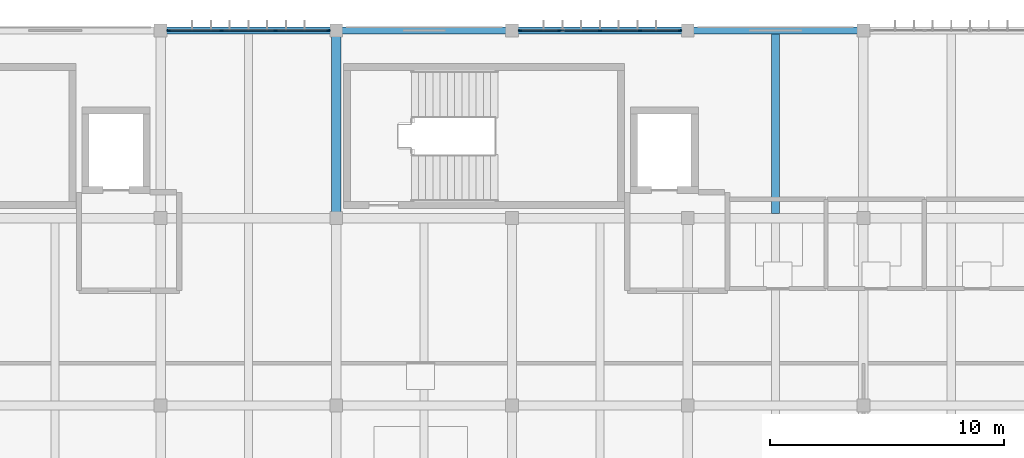
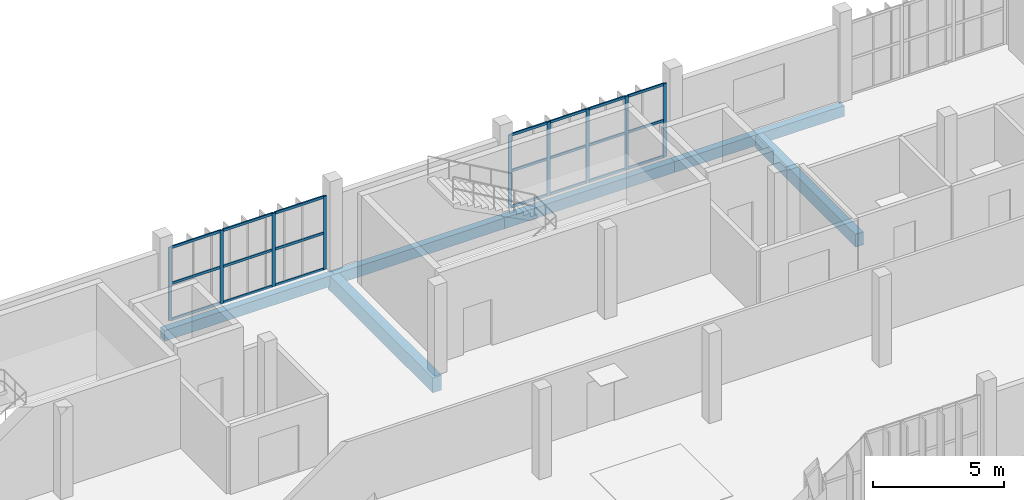
# One storey, part 13 of 61: 30 members, 6 beams, 2 elements without a shape of their own.
"""IFC4 building model written with IfcOpenShell, lengths in metres."""

from ifc_helpers import new_model, si_unit, direction, frame, origin, origin_2d, place, context, subcontext, project, spatial, rectangle, extrude, material, material_profile, profile_set, type_object, element, aggregate, save


model = new_model("IFC4")

# Units and contexts
model_context = context("Model", 3, precision=1e-05, world=origin(), true_north=direction((0.0, 1.0)))
body_context = subcontext(model_context, "Body", "Model", "MODEL_VIEW")
ifc_project = project(units=[si_unit("LENGTHUNIT", "METRE"), si_unit("AREAUNIT", "SQUARE_METRE"), si_unit("VOLUMEUNIT", "CUBIC_METRE"), si_unit("PLANEANGLEUNIT", "RADIAN"), si_unit("MASSUNIT", "GRAM", prefix="KILO")], contexts=[model_context])

# Site, building, storey
site_placement = place(None, origin())
site = spatial("IfcSite", under=ifc_project, at=site_placement, CompositionType="ELEMENT")
building_placement = place(site_placement, origin())
building = spatial("IfcBuilding", under=site, at=building_placement, Name="Vourika Railside Aquatics Centre", CompositionType="ELEMENT")
storey_placement = place(building_placement, frame((0.0, 0.0, 9.300048828125)))
storey = spatial("IfcBuildingStorey", under=building, at=storey_placement, Name="L02", CompositionType="ELEMENT", Elevation=9.300048828125)

# Beams
ifc_material_1 = material(Name="Concrete C35/45", Category="concrete")
ifc_material_profile_1 = material_profile(ifc_material_1, rectangle(XDim=0.39990234375, YDim=0.699951171875, at=origin_2d()), Name="RC 400x700")
ifc_profile_set_1 = profile_set([ifc_material_profile_1], Name="Concrete C35/45")
beam_type_1 = type_object("IfcBeamType", Name="BM-GIRD-400x700", PredefinedType="BEAM", material=ifc_profile_set_1)
beam_1_placement = place(storey_placement, frame((43.5, 108.0, -0.630126953125), z_axis=(0.0, 1.0, 0.0), x_axis=(-1.0, 0.0, 0.0)))
element("IfcBeam", 1, at=beam_1_placement, inside=storey, type_object=beam_type_1, Name="Floor Girder GY-L02-186", PredefinedType="BEAM", context=body_context, shape_type="SweptSolid", body=[
    extrude(rectangle(XDim=0.39990234375, YDim=0.699951171875, at=origin_2d()), origin(), (0.0, 0.0, 1.0), 8.0),
])
ifc_material_profile_2 = material_profile(ifc_material_1, rectangle(XDim=0.35009765625, YDim=0.60009765625, at=origin_2d()), Name="RC 350x600")
ifc_profile_set_2 = profile_set([ifc_material_profile_2], Name="Concrete C35/45")
beam_type_2 = type_object("IfcBeamType", Name="BM-SEC-350x600", PredefinedType="JOIST", material=ifc_profile_set_2)
beam_2_placement = place(storey_placement, frame((62.25, 108.199951171875, -0.580078125), z_axis=(0.0, 1.0, 0.0), x_axis=(-1.0, 0.0, 0.0)))
element("IfcBeam", 2, at=beam_2_placement, inside=storey, type_object=beam_type_2, Name="Secondary Joist JY-L02-365", PredefinedType="JOIST", context=body_context, shape_type="SweptSolid", body=[
    extrude(rectangle(XDim=0.35009765625, YDim=0.60009765625, at=origin_2d()), origin(), (0.0, 0.0, 1.0), 7.650146484375),
])
ifc_material_profile_3 = material_profile(ifc_material_1, rectangle(XDim=0.300048828125, YDim=0.5, at=origin_2d()), Name="RC 300x500")
ifc_profile_set_3 = profile_set([ifc_material_profile_3], Name="Concrete C35/45")
beam_type_3 = type_object("IfcBeamType", Name="BM-SPAN-300x500", PredefinedType="SPANDREL", material=ifc_profile_set_3)
for number, where, z_axis, x_axis, name in (
    (3, (36.0, 116.0, -0.530029296875), (1.0, 0.0, 0.0), (0.0, 1.0, 0.0), "Floor Beam GX-L02-135"),
    (4, (43.5, 116.0, -0.530029296875), (1.0, 0.0, 0.0), (0.0, 1.0, 0.0), "Floor Beam GX-L02-136"),
    (5, (51.0, 116.0, -0.530029296875), (1.0, 0.0, 0.0), (0.0, 1.0, 0.0), "Floor Beam GX-L02-137"),
    (6, (58.5, 116.0, -0.530029296875), (1.0, 0.0, 0.0), (0.0, 1.0, 0.0), "Floor Beam GX-L02-138"),
):
    element("IfcBeam", number, at=place(storey_placement, frame(where, z_axis=z_axis, x_axis=x_axis)), inside=storey, type_object=beam_type_3, Name=name, PredefinedType="SPANDREL", context=body_context, shape_type="SweptSolid", body=[
        extrude(rectangle(XDim=0.300048828125, YDim=0.5, at=origin_2d()), origin(), (0.0, 0.0, 1.0), 7.5),
    ])

# Curtain wall, members
ifc_material_2 = material(Name="Anodized thermally broken aluminium", Category="aluminium")
curtain_wall_type = type_object("IfcCurtainWallType", Name="CW-FIT2", PredefinedType="NOTDEFINED", material=ifc_material_2)
curtain_wall_1_placement = place(storey_placement, origin())
curtain_wall_1 = element("IfcCurtainWall", 7, at=curtain_wall_1_placement, inside=storey, type_object=curtain_wall_type, Name="North Boulevard Curtain Wall L02-3", PredefinedType="NOTDEFINED")
ifc_material_3 = material(Name="Anodized aluminium mullion", Category="aluminium")
ifc_material_profile_4 = material_profile(ifc_material_3, rectangle(XDim=0.06005859375, YDim=0.14990234375, at=origin_2d()), Name="ALU-M 60x150")
ifc_profile_set_4 = profile_set([ifc_material_profile_4], Name="Anodized aluminium mullion")
member_type_1 = type_object("IfcMemberType", Name="CWM-FIT2", PredefinedType="MULLION", material=ifc_profile_set_4)
member_1_placement = place(storey_placement, frame((43.1650390625, 116.0, 0.0), z_axis=(0.0, 0.0, 1.0), x_axis=(0.0, -1.0, 0.0)))
member_1 = element("IfcMember", 8, at=member_1_placement, type_object=member_type_1, Name="CW16 mullion 1", PredefinedType="MULLION", context=body_context, shape_type="SweptSolid", body=[
    extrude(rectangle(XDim=0.06005859375, YDim=0.14990234375, at=origin_2d()), origin(), (0.0, 0.0, 1.0), 3.419921875),
])
member_2_placement = place(storey_placement, frame((40.8984375, 116.0, 0.0), z_axis=(0.0, 0.0, 1.0), x_axis=(0.0, -1.0, 0.0)))
member_2 = element("IfcMember", 9, at=member_2_placement, type_object=member_type_1, Name="CW16 mullion 2", PredefinedType="MULLION", context=body_context, shape_type="SweptSolid", body=[
    extrude(rectangle(XDim=0.06005859375, YDim=0.14990234375, at=origin_2d()), origin(), (0.0, 0.0, 1.0), 3.419921875),
])
member_3_placement = place(storey_placement, frame((38.6015625, 116.0, 0.0), z_axis=(0.0, 0.0, 1.0), x_axis=(0.0, -1.0, 0.0)))
member_3 = element("IfcMember", 10, at=member_3_placement, type_object=member_type_1, Name="CW16 mullion 3", PredefinedType="MULLION", context=body_context, shape_type="SweptSolid", body=[
    extrude(rectangle(XDim=0.06005859375, YDim=0.14990234375, at=origin_2d()), origin(), (0.0, 0.0, 1.0), 3.419921875),
])
member_4_placement = place(storey_placement, frame((36.3349609375, 116.0, 0.0), z_axis=(0.0, 0.0, 1.0), x_axis=(0.0, -1.0, 0.0)))
member_4 = element("IfcMember", 11, at=member_4_placement, type_object=member_type_1, Name="CW16 mullion 4", PredefinedType="MULLION", context=body_context, shape_type="SweptSolid", body=[
    extrude(rectangle(XDim=0.06005859375, YDim=0.14990234375, at=origin_2d()), origin(), (0.0, 0.0, 1.0), 3.419921875),
])

curtain_wall_2_placement = place(storey_placement, origin())
curtain_wall_2 = element("IfcCurtainWall", 12, at=curtain_wall_2_placement, inside=storey, type_object=curtain_wall_type, Name="North Boulevard Curtain Wall L02-5", PredefinedType="NOTDEFINED")
member_5_placement = place(storey_placement, frame((58.1650390625, 116.0, 0.0), z_axis=(0.0, 0.0, 1.0), x_axis=(0.0, -1.0, 0.0)))
member_5 = element("IfcMember", 13, at=member_5_placement, type_object=member_type_1, Name="CW16 mullion 1", PredefinedType="MULLION", context=body_context, shape_type="SweptSolid", body=[
    extrude(rectangle(XDim=0.06005859375, YDim=0.14990234375, at=origin_2d()), origin(), (0.0, 0.0, 1.0), 3.419921875),
])
member_6_placement = place(storey_placement, frame((56.472412109375, 116.0, 0.0), z_axis=(0.0, 0.0, 1.0), x_axis=(0.0, -1.0, 0.0)))
member_6 = element("IfcMember", 14, at=member_6_placement, type_object=member_type_1, Name="CW16 mullion 2", PredefinedType="MULLION", context=body_context, shape_type="SweptSolid", body=[
    extrude(rectangle(XDim=0.06005859375, YDim=0.14990234375, at=origin_2d()), origin(), (0.0, 0.0, 1.0), 3.419921875),
])
member_7_placement = place(storey_placement, frame((54.75, 116.0, 0.0), z_axis=(0.0, 0.0, 1.0), x_axis=(0.0, -1.0, 0.0)))
member_7 = element("IfcMember", 15, at=member_7_placement, type_object=member_type_1, Name="CW16 mullion 3", PredefinedType="MULLION", context=body_context, shape_type="SweptSolid", body=[
    extrude(rectangle(XDim=0.06005859375, YDim=0.14990234375, at=origin_2d()), origin(), (0.0, 0.0, 1.0), 3.419921875),
])
member_8_placement = place(storey_placement, frame((53.027587890625, 116.0, 0.0), z_axis=(0.0, 0.0, 1.0), x_axis=(0.0, -1.0, 0.0)))
member_8 = element("IfcMember", 16, at=member_8_placement, type_object=member_type_1, Name="CW16 mullion 4", PredefinedType="MULLION", context=body_context, shape_type="SweptSolid", body=[
    extrude(rectangle(XDim=0.06005859375, YDim=0.14990234375, at=origin_2d()), origin(), (0.0, 0.0, 1.0), 3.419921875),
])
member_9_placement = place(storey_placement, frame((51.3349609375, 116.0, 0.0), z_axis=(0.0, 0.0, 1.0), x_axis=(0.0, -1.0, 0.0)))
member_9 = element("IfcMember", 17, at=member_9_placement, type_object=member_type_1, Name="CW16 mullion 5", PredefinedType="MULLION", context=body_context, shape_type="SweptSolid", body=[
    extrude(rectangle(XDim=0.06005859375, YDim=0.14990234375, at=origin_2d()), origin(), (0.0, 0.0, 1.0), 3.419921875),
])

# Member
ifc_material_4 = material(Name="Anodized aluminium transom", Category="aluminium")
ifc_material_profile_5 = material_profile(ifc_material_4, rectangle(XDim=0.06005859375, YDim=0.117919921875, at=origin_2d()), Name="ALU-T 60x118")
ifc_profile_set_5 = profile_set([ifc_material_profile_5], Name="Anodized aluminium transom")
member_type_2 = type_object("IfcMemberType", Name="CWT-FIT2", PredefinedType="USERDEFINED", material=ifc_profile_set_5)
member_10_placement = place(storey_placement, frame((43.135009765625, 116.0, 0.030029296875), z_axis=(-1.0, 0.0, 0.0), x_axis=(0.0, -1.0, 0.0)))
member_10 = element("IfcMember", 18, at=member_10_placement, type_object=member_type_2, Name="CW16 transom 1.1", ObjectType="TRANSOM", PredefinedType="USERDEFINED", context=body_context, shape_type="SweptSolid", body=[
    extrude(rectangle(XDim=0.06005859375, YDim=0.117919921875, at=origin_2d()), origin(), (0.0, 0.0, 1.0), 2.206787109375),
])

member_11_placement = place(storey_placement, frame((43.135009765625, 116.0, 1.7099609375), z_axis=(-1.0, 0.0, 0.0), x_axis=(0.0, -1.0, 0.0)))
member_11 = element("IfcMember", 19, at=member_11_placement, type_object=member_type_2, Name="CW16 transom 1.2", ObjectType="TRANSOM", PredefinedType="USERDEFINED", context=body_context, shape_type="SweptSolid", body=[
    extrude(rectangle(XDim=0.06005859375, YDim=0.117919921875, at=origin_2d()), origin(), (0.0, 0.0, 1.0), 2.206787109375),
])

member_12_placement = place(storey_placement, frame((43.135009765625, 116.0, 3.389892578125), z_axis=(-1.0, 0.0, 0.0), x_axis=(0.0, -1.0, 0.0)))
member_12 = element("IfcMember", 20, at=member_12_placement, type_object=member_type_2, Name="CW16 transom 1.3", ObjectType="TRANSOM", PredefinedType="USERDEFINED", context=body_context, shape_type="SweptSolid", body=[
    extrude(rectangle(XDim=0.06005859375, YDim=0.117919921875, at=origin_2d()), origin(), (0.0, 0.0, 1.0), 2.206787109375),
])

member_13_placement = place(storey_placement, frame((40.868408203125, 116.0, 0.030029296875), z_axis=(-1.0, 0.0, 0.0), x_axis=(0.0, -1.0, 0.0)))
member_13 = element("IfcMember", 21, at=member_13_placement, type_object=member_type_2, Name="CW16 transom 2.1", ObjectType="TRANSOM", PredefinedType="USERDEFINED", context=body_context, shape_type="SweptSolid", body=[
    extrude(rectangle(XDim=0.06005859375, YDim=0.117919921875, at=origin_2d()), origin(), (0.0, 0.0, 1.0), 2.23681640625),
])

member_14_placement = place(storey_placement, frame((40.868408203125, 116.0, 1.7099609375), z_axis=(-1.0, 0.0, 0.0), x_axis=(0.0, -1.0, 0.0)))
member_14 = element("IfcMember", 22, at=member_14_placement, type_object=member_type_2, Name="CW16 transom 2.2", ObjectType="TRANSOM", PredefinedType="USERDEFINED", context=body_context, shape_type="SweptSolid", body=[
    extrude(rectangle(XDim=0.06005859375, YDim=0.117919921875, at=origin_2d()), origin(), (0.0, 0.0, 1.0), 2.23681640625),
])

member_15_placement = place(storey_placement, frame((40.868408203125, 116.0, 3.389892578125), z_axis=(-1.0, 0.0, 0.0), x_axis=(0.0, -1.0, 0.0)))
member_15 = element("IfcMember", 23, at=member_15_placement, type_object=member_type_2, Name="CW16 transom 2.3", ObjectType="TRANSOM", PredefinedType="USERDEFINED", context=body_context, shape_type="SweptSolid", body=[
    extrude(rectangle(XDim=0.06005859375, YDim=0.117919921875, at=origin_2d()), origin(), (0.0, 0.0, 1.0), 2.23681640625),
])

member_16_placement = place(storey_placement, frame((38.57177734375, 116.0, 0.030029296875), z_axis=(-1.0, 0.0, 0.0), x_axis=(0.0, -1.0, 0.0)))
member_16 = element("IfcMember", 24, at=member_16_placement, type_object=member_type_2, Name="CW16 transom 3.1", ObjectType="TRANSOM", PredefinedType="USERDEFINED", context=body_context, shape_type="SweptSolid", body=[
    extrude(rectangle(XDim=0.06005859375, YDim=0.117919921875, at=origin_2d()), origin(), (0.0, 0.0, 1.0), 2.206787109375),
])

member_17_placement = place(storey_placement, frame((38.57177734375, 116.0, 1.7099609375), z_axis=(-1.0, 0.0, 0.0), x_axis=(0.0, -1.0, 0.0)))
member_17 = element("IfcMember", 25, at=member_17_placement, type_object=member_type_2, Name="CW16 transom 3.2", ObjectType="TRANSOM", PredefinedType="USERDEFINED", context=body_context, shape_type="SweptSolid", body=[
    extrude(rectangle(XDim=0.06005859375, YDim=0.117919921875, at=origin_2d()), origin(), (0.0, 0.0, 1.0), 2.206787109375),
])

member_18_placement = place(storey_placement, frame((38.57177734375, 116.0, 3.389892578125), z_axis=(-1.0, 0.0, 0.0), x_axis=(0.0, -1.0, 0.0)))
member_18 = element("IfcMember", 26, at=member_18_placement, type_object=member_type_2, Name="CW16 transom 3.3", ObjectType="TRANSOM", PredefinedType="USERDEFINED", context=body_context, shape_type="SweptSolid", body=[
    extrude(rectangle(XDim=0.06005859375, YDim=0.117919921875, at=origin_2d()), origin(), (0.0, 0.0, 1.0), 2.206787109375),
])

aggregate(curtain_wall_1, [member_1, member_2, member_3, member_4, member_10, member_11, member_12, member_13, member_14, member_15, member_16, member_17, member_18])

member_19_placement = place(storey_placement, frame((58.135009765625, 116.0, 0.030029296875), z_axis=(-1.0, 0.0, 0.0), x_axis=(0.0, -1.0, 0.0)))
member_19 = element("IfcMember", 27, at=member_19_placement, type_object=member_type_2, Name="CW16 transom 1.1", ObjectType="TRANSOM", PredefinedType="USERDEFINED", context=body_context, shape_type="SweptSolid", body=[
    extrude(rectangle(XDim=0.06005859375, YDim=0.117919921875, at=origin_2d()), origin(), (0.0, 0.0, 1.0), 1.632568359375),
])

member_20_placement = place(storey_placement, frame((58.135009765625, 116.0, 1.7099609375), z_axis=(-1.0, 0.0, 0.0), x_axis=(0.0, -1.0, 0.0)))
member_20 = element("IfcMember", 28, at=member_20_placement, type_object=member_type_2, Name="CW16 transom 1.2", ObjectType="TRANSOM", PredefinedType="USERDEFINED", context=body_context, shape_type="SweptSolid", body=[
    extrude(rectangle(XDim=0.06005859375, YDim=0.117919921875, at=origin_2d()), origin(), (0.0, 0.0, 1.0), 1.632568359375),
])

member_21_placement = place(storey_placement, frame((58.135009765625, 116.0, 3.389892578125), z_axis=(-1.0, 0.0, 0.0), x_axis=(0.0, -1.0, 0.0)))
member_21 = element("IfcMember", 29, at=member_21_placement, type_object=member_type_2, Name="CW16 transom 1.3", ObjectType="TRANSOM", PredefinedType="USERDEFINED", context=body_context, shape_type="SweptSolid", body=[
    extrude(rectangle(XDim=0.06005859375, YDim=0.117919921875, at=origin_2d()), origin(), (0.0, 0.0, 1.0), 1.632568359375),
])

member_22_placement = place(storey_placement, frame((56.4423828125, 116.0, 0.030029296875), z_axis=(-1.0, 0.0, 0.0), x_axis=(0.0, -1.0, 0.0)))
member_22 = element("IfcMember", 30, at=member_22_placement, type_object=member_type_2, Name="CW16 transom 2.1", ObjectType="TRANSOM", PredefinedType="USERDEFINED", context=body_context, shape_type="SweptSolid", body=[
    extrude(rectangle(XDim=0.06005859375, YDim=0.117919921875, at=origin_2d()), origin(), (0.0, 0.0, 1.0), 1.662353515625),
])

member_23_placement = place(storey_placement, frame((56.4423828125, 116.0, 1.7099609375), z_axis=(-1.0, 0.0, 0.0), x_axis=(0.0, -1.0, 0.0)))
member_23 = element("IfcMember", 31, at=member_23_placement, type_object=member_type_2, Name="CW16 transom 2.2", ObjectType="TRANSOM", PredefinedType="USERDEFINED", context=body_context, shape_type="SweptSolid", body=[
    extrude(rectangle(XDim=0.06005859375, YDim=0.117919921875, at=origin_2d()), origin(), (0.0, 0.0, 1.0), 1.662353515625),
])

member_24_placement = place(storey_placement, frame((56.4423828125, 116.0, 3.389892578125), z_axis=(-1.0, 0.0, 0.0), x_axis=(0.0, -1.0, 0.0)))
member_24 = element("IfcMember", 32, at=member_24_placement, type_object=member_type_2, Name="CW16 transom 2.3", ObjectType="TRANSOM", PredefinedType="USERDEFINED", context=body_context, shape_type="SweptSolid", body=[
    extrude(rectangle(XDim=0.06005859375, YDim=0.117919921875, at=origin_2d()), origin(), (0.0, 0.0, 1.0), 1.662353515625),
])

member_25_placement = place(storey_placement, frame((54.719970703125, 116.0, 0.030029296875), z_axis=(-1.0, 0.0, 0.0), x_axis=(0.0, -1.0, 0.0)))
member_25 = element("IfcMember", 33, at=member_25_placement, type_object=member_type_2, Name="CW16 transom 3.1", ObjectType="TRANSOM", PredefinedType="USERDEFINED", context=body_context, shape_type="SweptSolid", body=[
    extrude(rectangle(XDim=0.06005859375, YDim=0.117919921875, at=origin_2d()), origin(), (0.0, 0.0, 1.0), 1.662353515625),
])

member_26_placement = place(storey_placement, frame((54.719970703125, 116.0, 1.7099609375), z_axis=(-1.0, 0.0, 0.0), x_axis=(0.0, -1.0, 0.0)))
member_26 = element("IfcMember", 34, at=member_26_placement, type_object=member_type_2, Name="CW16 transom 3.2", ObjectType="TRANSOM", PredefinedType="USERDEFINED", context=body_context, shape_type="SweptSolid", body=[
    extrude(rectangle(XDim=0.06005859375, YDim=0.117919921875, at=origin_2d()), origin(), (0.0, 0.0, 1.0), 1.662353515625),
])

member_27_placement = place(storey_placement, frame((54.719970703125, 116.0, 3.389892578125), z_axis=(-1.0, 0.0, 0.0), x_axis=(0.0, -1.0, 0.0)))
member_27 = element("IfcMember", 35, at=member_27_placement, type_object=member_type_2, Name="CW16 transom 3.3", ObjectType="TRANSOM", PredefinedType="USERDEFINED", context=body_context, shape_type="SweptSolid", body=[
    extrude(rectangle(XDim=0.06005859375, YDim=0.117919921875, at=origin_2d()), origin(), (0.0, 0.0, 1.0), 1.662353515625),
])

member_28_placement = place(storey_placement, frame((52.99755859375, 116.0, 0.030029296875), z_axis=(-1.0, 0.0, 0.0), x_axis=(0.0, -1.0, 0.0)))
member_28 = element("IfcMember", 36, at=member_28_placement, type_object=member_type_2, Name="CW16 transom 4.1", ObjectType="TRANSOM", PredefinedType="USERDEFINED", context=body_context, shape_type="SweptSolid", body=[
    extrude(rectangle(XDim=0.06005859375, YDim=0.117919921875, at=origin_2d()), origin(), (0.0, 0.0, 1.0), 1.632568359375),
])

member_29_placement = place(storey_placement, frame((52.99755859375, 116.0, 1.7099609375), z_axis=(-1.0, 0.0, 0.0), x_axis=(0.0, -1.0, 0.0)))
member_29 = element("IfcMember", 37, at=member_29_placement, type_object=member_type_2, Name="CW16 transom 4.2", ObjectType="TRANSOM", PredefinedType="USERDEFINED", context=body_context, shape_type="SweptSolid", body=[
    extrude(rectangle(XDim=0.06005859375, YDim=0.117919921875, at=origin_2d()), origin(), (0.0, 0.0, 1.0), 1.632568359375),
])

member_30_placement = place(storey_placement, frame((52.99755859375, 116.0, 3.389892578125), z_axis=(-1.0, 0.0, 0.0), x_axis=(0.0, -1.0, 0.0)))
member_30 = element("IfcMember", 38, at=member_30_placement, type_object=member_type_2, Name="CW16 transom 4.3", ObjectType="TRANSOM", PredefinedType="USERDEFINED", context=body_context, shape_type="SweptSolid", body=[
    extrude(rectangle(XDim=0.06005859375, YDim=0.117919921875, at=origin_2d()), origin(), (0.0, 0.0, 1.0), 1.632568359375),
])

aggregate(curtain_wall_2, [member_5, member_6, member_7, member_8, member_9, member_19, member_20, member_21, member_22, member_23, member_24, member_25, member_26, member_27, member_28, member_29, member_30])

save(model, "model.ifc")
